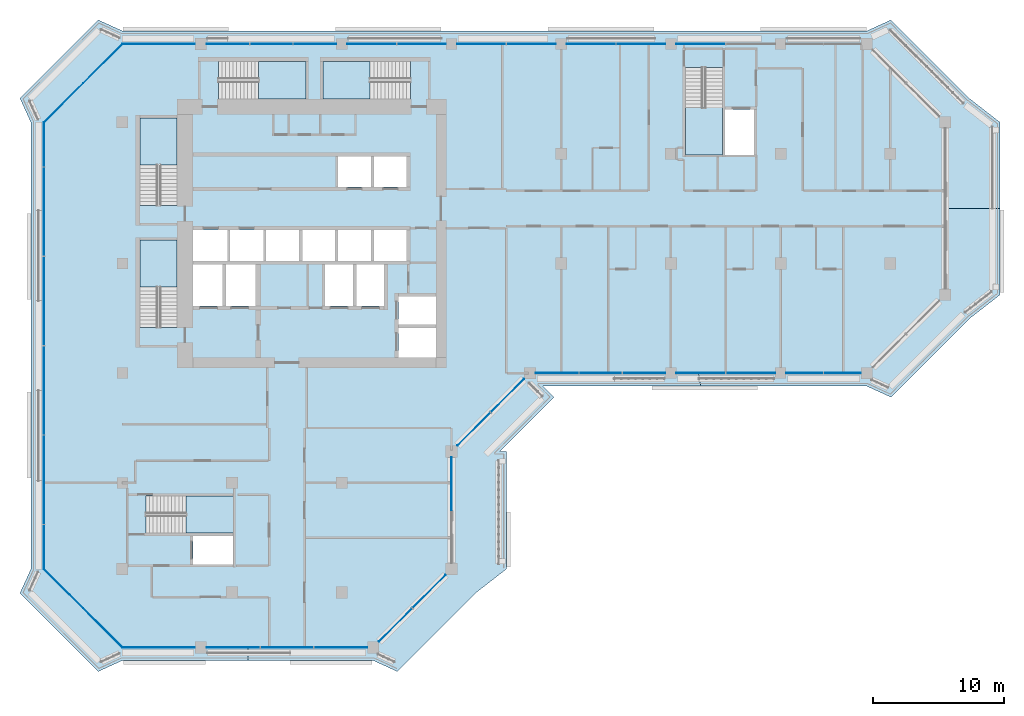
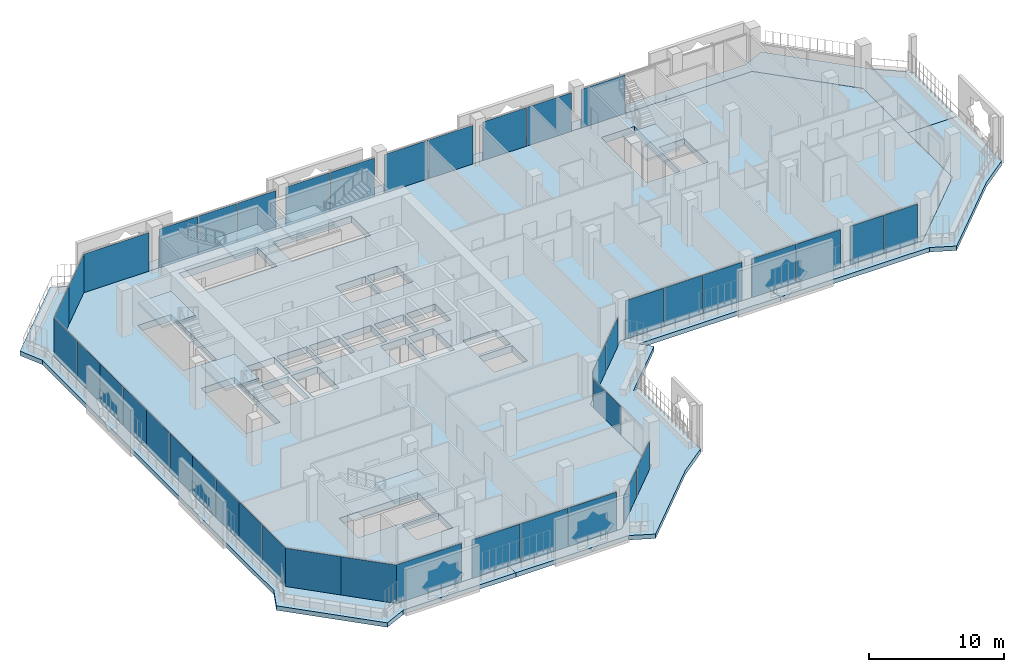
# One storey, part 8 of 21: 41 plates, 10 slabs, 15 elements without a shape of their own.
"""IFC4 building model written with IfcOpenShell, lengths in metres."""

from ifc_helpers import new_model, si_unit, direction, frame, origin, origin_2d, place, context, subcontext, project, spatial, polyline, rectangle, outline, extrude, material, layer, layer_set, type_object, element, aggregate, save


model = new_model("IFC4")

# Units and contexts
model_context = context("Model", 3, precision=1e-05, world=origin(), true_north=direction((0.0, 1.0)))
body_context = subcontext(model_context, "Body", "Model", "MODEL_VIEW")
ifc_project = project(units=[si_unit("LENGTHUNIT", "METRE"), si_unit("AREAUNIT", "SQUARE_METRE"), si_unit("VOLUMEUNIT", "CUBIC_METRE"), si_unit("PLANEANGLEUNIT", "RADIAN"), si_unit("MASSUNIT", "GRAM", prefix="KILO")], contexts=[model_context])

# Site, building, storey
site_placement = place(None, origin())
site = spatial("IfcSite", under=ifc_project, at=site_placement, CompositionType="ELEMENT")
building_placement = place(site_placement, origin())
building = spatial("IfcBuilding", under=site, at=building_placement, Name="Kawkab Arch Medical Tower", CompositionType="ELEMENT")
storey_placement = place(building_placement, frame((0.0, 0.0, 264.199951171875)))
storey = spatial("IfcBuildingStorey", under=building, at=storey_placement, Name="L61", CompositionType="ELEMENT", Elevation=264.199951171875)

# Curtain wall, plates
ifc_material_1 = material(Name="Bronze anodised aluminium curtain wall frame", Category="aluminium")
ifc_layer_1 = layer(ifc_material_1, 0.159912109375)
ifc_layer_set_1 = layer_set([ifc_layer_1], Name="Bronze anodised aluminium curtain wall frame")
curtain_wall_type_1 = type_object("IfcCurtainWallType", Name="CW1 ward curtain wall", PredefinedType="NOTDEFINED", material=ifc_layer_set_1)
placement_1 = place(storey_placement, origin())
curtain_wall_1 = element("IfcCurtainWall", 1, at=placement_1, inside=storey, type_object=curtain_wall_type_1, Name="CW1 Ward curtain wall R01", PredefinedType="NOTDEFINED")
ifc_material_2 = material(Name="Tinted insulating glass, bronze low-e coating", Category="glass")
ifc_layer_2 = layer(ifc_material_2, 0.031982421875)
ifc_layer_set_2 = layer_set([ifc_layer_2], Name="Tinted insulating glass, bronze low-e coating")
plate_type_1 = type_object("IfcPlateType", Name="CW1 glazing unit 32", PredefinedType="CURTAIN_PANEL", material=ifc_layer_set_2)
plate_1_placement = place(storey_placement, frame((-6.0, -7.695068359375, 0.0), z_axis=(0.0, 0.0, 1.0), x_axis=(0.0, -1.0, 0.0)))
plate_1 = element("IfcPlate", 2, at=plate_1_placement, type_object=plate_type_1, Name="CW1 glazing unit 1.1", PredefinedType="CURTAIN_PANEL", context=body_context, shape_type="SweptSolid", body=[
    extrude(rectangle(XDim=3.389892578125, YDim=0.031982421875, at=origin_2d()), origin(), (0.0, 0.0, 1.0), 3.47998046875),
])
plate_2_placement = place(storey_placement, frame((-6.0, -11.14501953125, 0.0), z_axis=(0.0, 0.0, 1.0), x_axis=(0.0, -1.0, 0.0)))
plate_2 = element("IfcPlate", 3, at=plate_2_placement, type_object=plate_type_1, Name="CW1 glazing unit 1.2", PredefinedType="CURTAIN_PANEL", context=body_context, shape_type="SweptSolid", body=[
    extrude(rectangle(XDim=3.389892578125, YDim=0.031982421875, at=origin_2d()), origin(), (0.0, 0.0, 1.0), 3.47998046875),
])
plate_3_placement = place(storey_placement, frame((-6.0, -14.534912109375, 0.0), z_axis=(0.0, 0.0, 1.0), x_axis=(0.0, -1.0, 0.0)))
plate_3 = element("IfcPlate", 4, at=plate_3_placement, type_object=plate_type_1, Name="CW1 glazing unit 2.1", PredefinedType="CURTAIN_PANEL", context=body_context, shape_type="SweptSolid", body=[
    extrude(rectangle(XDim=3.389892578125, YDim=0.031982421875, at=origin_2d()), origin(), (0.0, 0.0, 1.0), 3.47998046875),
])
plate_4_placement = place(storey_placement, frame((-6.0, -17.985107421875, 0.0), z_axis=(0.0, 0.0, 1.0), x_axis=(0.0, -1.0, 0.0)))
plate_4 = element("IfcPlate", 5, at=plate_4_placement, type_object=plate_type_1, Name="CW1 glazing unit 2.2", PredefinedType="CURTAIN_PANEL", context=body_context, shape_type="SweptSolid", body=[
    extrude(rectangle(XDim=3.389892578125, YDim=0.031982421875, at=origin_2d()), origin(), (0.0, 0.0, 1.0), 3.47998046875),
])
plate_5_placement = place(storey_placement, frame((-6.0, -21.375, 0.0), z_axis=(0.0, 0.0, 1.0), x_axis=(0.0, -1.0, 0.0)))
plate_5 = element("IfcPlate", 6, at=plate_5_placement, type_object=plate_type_1, Name="CW1 glazing unit 3.1", PredefinedType="CURTAIN_PANEL", context=body_context, shape_type="SweptSolid", body=[
    extrude(rectangle(XDim=3.389892578125, YDim=0.031982421875, at=origin_2d()), origin(), (0.0, 0.0, 1.0), 3.47998046875),
])
plate_6_placement = place(storey_placement, frame((-6.0, -24.824951171875, 0.0), z_axis=(0.0, 0.0, 1.0), x_axis=(0.0, -1.0, 0.0)))
plate_6 = element("IfcPlate", 7, at=plate_6_placement, type_object=plate_type_1, Name="CW1 glazing unit 3.2", PredefinedType="CURTAIN_PANEL", context=body_context, shape_type="SweptSolid", body=[
    extrude(rectangle(XDim=3.389892578125, YDim=0.031982421875, at=origin_2d()), origin(), (0.0, 0.0, 1.0), 3.47998046875),
])
plate_7_placement = place(storey_placement, frame((-6.0, -28.215087890625, 0.0), z_axis=(0.0, 0.0, 1.0), x_axis=(0.0, -1.0, 0.0)))
plate_7 = element("IfcPlate", 8, at=plate_7_placement, type_object=plate_type_1, Name="CW1 glazing unit 4.1", PredefinedType="CURTAIN_PANEL", context=body_context, shape_type="SweptSolid", body=[
    extrude(rectangle(XDim=3.389892578125, YDim=0.031982421875, at=origin_2d()), origin(), (0.0, 0.0, 1.0), 3.47998046875),
])
plate_8_placement = place(storey_placement, frame((-6.0, -31.6650390625, 0.0), z_axis=(0.0, 0.0, 1.0), x_axis=(0.0, -1.0, 0.0)))
plate_8 = element("IfcPlate", 9, at=plate_8_placement, type_object=plate_type_1, Name="CW1 glazing unit 4.2", PredefinedType="CURTAIN_PANEL", context=body_context, shape_type="SweptSolid", body=[
    extrude(rectangle(XDim=3.389892578125, YDim=0.031982421875, at=origin_2d()), origin(), (0.0, 0.0, 1.0), 3.47998046875),
])
plate_9_placement = place(storey_placement, frame((-6.0, -35.054931640625, 0.0), z_axis=(0.0, 0.0, 1.0), x_axis=(0.0, -1.0, 0.0)))
plate_9 = element("IfcPlate", 10, at=plate_9_placement, type_object=plate_type_1, Name="CW1 glazing unit 5.1", PredefinedType="CURTAIN_PANEL", context=body_context, shape_type="SweptSolid", body=[
    extrude(rectangle(XDim=3.389892578125, YDim=0.031982421875, at=origin_2d()), origin(), (0.0, 0.0, 1.0), 3.47998046875),
])
plate_10_placement = place(storey_placement, frame((-6.0, -38.5048828125, 0.0), z_axis=(0.0, 0.0, 1.0), x_axis=(0.0, -1.0, 0.0)))
plate_10 = element("IfcPlate", 11, at=plate_10_placement, type_object=plate_type_1, Name="CW1 glazing unit 5.2", PredefinedType="CURTAIN_PANEL", context=body_context, shape_type="SweptSolid", body=[
    extrude(rectangle(XDim=3.389892578125, YDim=0.031982421875, at=origin_2d()), origin(), (0.0, 0.0, 1.0), 3.47998046875),
])
aggregate(curtain_wall_1, [plate_1, plate_2, plate_3, plate_4, plate_5, plate_6, plate_7, plate_8, plate_9, plate_10])

curtain_wall_2 = element("IfcCurtainWall", 12, at=placement_1, inside=storey, type_object=curtain_wall_type_1, Name="CW1 Ward curtain wall R03", PredefinedType="NOTDEFINED")
plate_11_placement = place(storey_placement, frame((2.77490234375, -46.199951171875, 0.0), z_axis=(0.0, 0.0, 1.0), x_axis=(1.0, 0.0, 0.0)))
plate_11 = element("IfcPlate", 13, at=plate_11_placement, type_object=plate_type_1, Name="CW1 glazing unit 1.1", PredefinedType="CURTAIN_PANEL", context=body_context, shape_type="SweptSolid", body=[
    extrude(rectangle(XDim=5.550048828125, YDim=0.031982421875, at=origin_2d()), origin(), (0.0, 0.0, 1.0), 3.47998046875),
])
plate_12_placement = place(storey_placement, frame((8.485107421875, -46.199951171875, 0.0), z_axis=(0.0, 0.0, 1.0), x_axis=(1.0, 0.0, 0.0)))
plate_12 = element("IfcPlate", 14, at=plate_12_placement, type_object=plate_type_1, Name="CW1 glazing unit 2.1", PredefinedType="CURTAIN_PANEL", context=body_context, shape_type="SweptSolid", body=[
    extrude(rectangle(XDim=4.070068359375, YDim=0.031982421875, at=origin_2d()), origin(), (0.0, 0.0, 1.0), 3.47998046875),
])
plate_13_placement = place(storey_placement, frame((12.60009765625, -46.199951171875, 0.0), z_axis=(0.0, 0.0, 1.0), x_axis=(1.0, 0.0, 0.0)))
plate_13 = element("IfcPlate", 15, at=plate_13_placement, type_object=plate_type_1, Name="CW1 glazing unit 2.2", PredefinedType="CURTAIN_PANEL", context=body_context, shape_type="SweptSolid", body=[
    extrude(rectangle(XDim=4.0400390625, YDim=0.031982421875, at=origin_2d()), origin(), (0.0, 0.0, 1.0), 3.47998046875),
])
plate_14_placement = place(storey_placement, frame((16.715087890625, -46.199951171875, 0.0), z_axis=(0.0, 0.0, 1.0), x_axis=(1.0, 0.0, 0.0)))
plate_14 = element("IfcPlate", 16, at=plate_14_placement, type_object=plate_type_1, Name="CW1 glazing unit 2.3", PredefinedType="CURTAIN_PANEL", context=body_context, shape_type="SweptSolid", body=[
    extrude(rectangle(XDim=4.070068359375, YDim=0.031982421875, at=origin_2d()), origin(), (0.0, 0.0, 1.0), 3.47998046875),
])
aggregate(curtain_wall_2, [plate_11, plate_12, plate_13, plate_14])

# Curtain wall, plate
curtain_wall_3 = element("IfcCurtainWall", 17, at=placement_1, inside=storey, type_object=curtain_wall_type_1, Name="CW1 Ward curtain wall R05", PredefinedType="NOTDEFINED")
plate_15_placement = place(storey_placement, frame((25.199951171875, -33.675048828125, 0.0), z_axis=(0.0, 0.0, 1.0), x_axis=(0.0, 1.0, 0.0)))
plate_15 = element("IfcPlate", 18, at=plate_15_placement, type_object=plate_type_1, Name="CW1 glazing unit 1.2", PredefinedType="CURTAIN_PANEL", context=body_context, shape_type="SweptSolid", body=[
    extrude(rectangle(XDim=4.050048828125, YDim=0.031982421875, at=origin_2d()), origin(), (0.0, 0.0, 1.0), 2.580078125),
])
aggregate(curtain_wall_3, [plate_15])

# Curtain wall, plates
curtain_wall_4 = element("IfcCurtainWall", 19, at=placement_1, inside=storey, type_object=curtain_wall_type_1, Name="CW1 Ward curtain wall R07", PredefinedType="NOTDEFINED")
plate_16_placement = place(storey_placement, frame((33.2890625, -25.199951171875, 0.0), z_axis=(0.0, 0.0, 1.0), x_axis=(1.0, 0.0, 0.0)))
plate_16 = element("IfcPlate", 20, at=plate_16_placement, type_object=plate_type_1, Name="CW1 glazing unit 1.1", PredefinedType="CURTAIN_PANEL", context=body_context, shape_type="SweptSolid", body=[
    extrude(rectangle(XDim=3.2783203125, YDim=0.031982421875, at=origin_2d()), origin(), (0.0, 0.0, 1.0), 3.47998046875),
])
plate_17_placement = place(storey_placement, frame((36.612548828125, -25.199951171875, 0.0), z_axis=(0.0, 0.0, 1.0), x_axis=(1.0, 0.0, 0.0)))
plate_17 = element("IfcPlate", 21, at=plate_17_placement, type_object=plate_type_1, Name="CW1 glazing unit 1.2", PredefinedType="CURTAIN_PANEL", context=body_context, shape_type="SweptSolid", body=[
    extrude(rectangle(XDim=3.248291015625, YDim=0.031982421875, at=origin_2d()), origin(), (0.0, 0.0, 1.0), 3.47998046875),
])
plate_18_placement = place(storey_placement, frame((39.935791015625, -25.199951171875, 0.0), z_axis=(0.0, 0.0, 1.0), x_axis=(1.0, 0.0, 0.0)))
plate_18 = element("IfcPlate", 22, at=plate_18_placement, type_object=plate_type_1, Name="CW1 glazing unit 1.3", PredefinedType="CURTAIN_PANEL", context=body_context, shape_type="SweptSolid", body=[
    extrude(rectangle(XDim=3.2783203125, YDim=0.031982421875, at=origin_2d()), origin(), (0.0, 0.0, 1.0), 3.47998046875),
])
plate_19_placement = place(storey_placement, frame((44.297607421875, -25.199951171875, 0.0), z_axis=(0.0, 0.0, 1.0), x_axis=(1.0, 0.0, 0.0)))
plate_19 = element("IfcPlate", 23, at=plate_19_placement, type_object=plate_type_1, Name="CW1 glazing unit 2.1", PredefinedType="CURTAIN_PANEL", context=body_context, shape_type="SweptSolid", body=[
    extrude(rectangle(XDim=3.7451171875, YDim=0.031982421875, at=origin_2d()), origin(), (0.0, 0.0, 1.0), 3.47998046875),
])
plate_20_placement = place(storey_placement, frame((48.1025390625, -25.199951171875, 0.0), z_axis=(0.0, 0.0, 1.0), x_axis=(1.0, 0.0, 0.0)))
plate_20 = element("IfcPlate", 24, at=plate_20_placement, type_object=plate_type_1, Name="CW1 glazing unit 2.2", PredefinedType="CURTAIN_PANEL", context=body_context, shape_type="SweptSolid", body=[
    extrude(rectangle(XDim=3.7451171875, YDim=0.031982421875, at=origin_2d()), origin(), (0.0, 0.0, 1.0), 3.47998046875),
])
plate_21_placement = place(storey_placement, frame((52.2412109375, -25.199951171875, 0.0), z_axis=(0.0, 0.0, 1.0), x_axis=(1.0, 0.0, 0.0)))
plate_21 = element("IfcPlate", 25, at=plate_21_placement, type_object=plate_type_1, Name="CW1 glazing unit 3.1", PredefinedType="CURTAIN_PANEL", context=body_context, shape_type="SweptSolid", body=[
    extrude(rectangle(XDim=2.83251953125, YDim=0.031982421875, at=origin_2d()), origin(), (0.0, 0.0, 1.0), 3.47998046875),
])
plate_22_placement = place(storey_placement, frame((55.1337890625, -25.199951171875, 0.0), z_axis=(0.0, 0.0, 1.0), x_axis=(1.0, 0.0, 0.0)))
plate_22 = element("IfcPlate", 26, at=plate_22_placement, type_object=plate_type_1, Name="CW1 glazing unit 3.2", PredefinedType="CURTAIN_PANEL", context=body_context, shape_type="SweptSolid", body=[
    extrude(rectangle(XDim=2.83251953125, YDim=0.031982421875, at=origin_2d()), origin(), (0.0, 0.0, 1.0), 3.47998046875),
])
aggregate(curtain_wall_4, [plate_16, plate_17, plate_18, plate_19, plate_20, plate_21, plate_22])

curtain_wall_5 = element("IfcCurtainWall", 27, at=placement_1, inside=storey, type_object=curtain_wall_type_1, Name="CW1 Ward curtain wall R11", PredefinedType="NOTDEFINED")
plate_23_placement = place(storey_placement, frame((44.297607421875, 0.0, 0.0), z_axis=(0.0, 0.0, 1.0), x_axis=(-1.0, 0.0, 0.0)))
plate_23 = element("IfcPlate", 28, at=plate_23_placement, type_object=plate_type_1, Name="CW1 glazing unit 2.2", PredefinedType="CURTAIN_PANEL", context=body_context, shape_type="SweptSolid", body=[
    extrude(rectangle(XDim=3.7451171875, YDim=0.031982421875, at=origin_2d()), origin(), (0.0, 0.0, 1.0), 3.47998046875),
])
plate_24_placement = place(storey_placement, frame((39.702392578125, 0.0, 0.0), z_axis=(0.0, 0.0, 1.0), x_axis=(-1.0, 0.0, 0.0)))
plate_24 = element("IfcPlate", 29, at=plate_24_placement, type_object=plate_type_1, Name="CW1 glazing unit 3.1", PredefinedType="CURTAIN_PANEL", context=body_context, shape_type="SweptSolid", body=[
    extrude(rectangle(XDim=3.7451171875, YDim=0.031982421875, at=origin_2d()), origin(), (0.0, 0.0, 1.0), 3.47998046875),
])
plate_25_placement = place(storey_placement, frame((35.8974609375, 0.0, 0.0), z_axis=(0.0, 0.0, 1.0), x_axis=(-1.0, 0.0, 0.0)))
plate_25 = element("IfcPlate", 30, at=plate_25_placement, type_object=plate_type_1, Name="CW1 glazing unit 3.2", PredefinedType="CURTAIN_PANEL", context=body_context, shape_type="SweptSolid", body=[
    extrude(rectangle(XDim=3.7451171875, YDim=0.031982421875, at=origin_2d()), origin(), (0.0, 0.0, 1.0), 3.47998046875),
])
plate_26_placement = place(storey_placement, frame((31.302490234375, 0.0, 0.0), z_axis=(0.0, 0.0, 1.0), x_axis=(-1.0, 0.0, 0.0)))
plate_26 = element("IfcPlate", 31, at=plate_26_placement, type_object=plate_type_1, Name="CW1 glazing unit 4.1", PredefinedType="CURTAIN_PANEL", context=body_context, shape_type="SweptSolid", body=[
    extrude(rectangle(XDim=3.7451171875, YDim=0.031982421875, at=origin_2d()), origin(), (0.0, 0.0, 1.0), 3.47998046875),
])
plate_27_placement = place(storey_placement, frame((27.49755859375, 0.0, 0.0), z_axis=(0.0, 0.0, 1.0), x_axis=(-1.0, 0.0, 0.0)))
plate_27 = element("IfcPlate", 32, at=plate_27_placement, type_object=plate_type_1, Name="CW1 glazing unit 4.2", PredefinedType="CURTAIN_PANEL", context=body_context, shape_type="SweptSolid", body=[
    extrude(rectangle(XDim=3.7451171875, YDim=0.031982421875, at=origin_2d()), origin(), (0.0, 0.0, 1.0), 3.47998046875),
])
plate_28_placement = place(storey_placement, frame((22.902587890625, 0.0, 0.0), z_axis=(0.0, 0.0, 1.0), x_axis=(-1.0, 0.0, 0.0)))
plate_28 = element("IfcPlate", 33, at=plate_28_placement, type_object=plate_type_1, Name="CW1 glazing unit 5.1", PredefinedType="CURTAIN_PANEL", context=body_context, shape_type="SweptSolid", body=[
    extrude(rectangle(XDim=3.7451171875, YDim=0.031982421875, at=origin_2d()), origin(), (0.0, 0.0, 1.0), 3.47998046875),
])
plate_29_placement = place(storey_placement, frame((19.097412109375, 0.0, 0.0), z_axis=(0.0, 0.0, 1.0), x_axis=(-1.0, 0.0, 0.0)))
plate_29 = element("IfcPlate", 34, at=plate_29_placement, type_object=plate_type_1, Name="CW1 glazing unit 5.2", PredefinedType="CURTAIN_PANEL", context=body_context, shape_type="SweptSolid", body=[
    extrude(rectangle(XDim=3.7451171875, YDim=0.031982421875, at=origin_2d()), origin(), (0.0, 0.0, 1.0), 3.47998046875),
])
plate_30_placement = place(storey_placement, frame((14.73583984375, 0.0, 0.0), z_axis=(0.0, 0.0, 1.0), x_axis=(-1.0, 0.0, 0.0)))
plate_30 = element("IfcPlate", 35, at=plate_30_placement, type_object=plate_type_1, Name="CW1 glazing unit 6.1", PredefinedType="CURTAIN_PANEL", context=body_context, shape_type="SweptSolid", body=[
    extrude(rectangle(XDim=3.2783203125, YDim=0.031982421875, at=origin_2d()), origin(), (0.0, 0.0, 1.0), 3.47998046875),
])
plate_31_placement = place(storey_placement, frame((11.41259765625, 0.0, 0.0), z_axis=(0.0, 0.0, 1.0), x_axis=(-1.0, 0.0, 0.0)))
plate_31 = element("IfcPlate", 36, at=plate_31_placement, type_object=plate_type_1, Name="CW1 glazing unit 6.2", PredefinedType="CURTAIN_PANEL", context=body_context, shape_type="SweptSolid", body=[
    extrude(rectangle(XDim=3.248291015625, YDim=0.031982421875, at=origin_2d()), origin(), (0.0, 0.0, 1.0), 3.47998046875),
])
plate_32_placement = place(storey_placement, frame((8.089111328125, 0.0, 0.0), z_axis=(0.0, 0.0, 1.0), x_axis=(-1.0, 0.0, 0.0)))
plate_32 = element("IfcPlate", 37, at=plate_32_placement, type_object=plate_type_1, Name="CW1 glazing unit 6.3", PredefinedType="CURTAIN_PANEL", context=body_context, shape_type="SweptSolid", body=[
    extrude(rectangle(XDim=3.2783203125, YDim=0.031982421875, at=origin_2d()), origin(), (0.0, 0.0, 1.0), 3.47998046875),
])
plate_33_placement = place(storey_placement, frame((2.77490234375, 0.0, 0.0), z_axis=(0.0, 0.0, 1.0), x_axis=(-1.0, 0.0, 0.0)))
plate_33 = element("IfcPlate", 38, at=plate_33_placement, type_object=plate_type_1, Name="CW1 glazing unit 7.1", PredefinedType="CURTAIN_PANEL", context=body_context, shape_type="SweptSolid", body=[
    extrude(rectangle(XDim=5.550048828125, YDim=0.031982421875, at=origin_2d()), origin(), (0.0, 0.0, 1.0), 3.47998046875),
])
aggregate(curtain_wall_5, [plate_23, plate_24, plate_25, plate_26, plate_27, plate_28, plate_29, plate_30, plate_31, plate_32, plate_33])

ifc_material_3 = material(Name="Bronze anodised aluminium curtain wall frame", Category="aluminium")
ifc_layer_3 = layer(ifc_material_3, 0.159912109375)
ifc_layer_set_3 = layer_set([ifc_layer_3], Name="Bronze anodised aluminium curtain wall frame")
curtain_wall_type_2 = type_object("IfcCurtainWallType", Name="CW2 chamfer curtain wall", PredefinedType="NOTDEFINED", material=ifc_layer_set_3)
curtain_wall_6 = element("IfcCurtainWall", 39, at=placement_1, inside=storey, type_object=curtain_wall_type_2, Name="CW2 Chamfer curtain wall R02", PredefinedType="NOTDEFINED")
ifc_material_4 = material(Name="Tinted insulating glass, bronze low-e coating", Category="glass")
ifc_layer_4 = layer(ifc_material_4, 0.031982421875)
ifc_layer_set_4 = layer_set([ifc_layer_4], Name="Tinted insulating glass, bronze low-e coating")
plate_type_2 = type_object("IfcPlateType", Name="CW2 glazing unit 32", PredefinedType="CURTAIN_PANEL", material=ifc_layer_set_4)
plate_34_placement = place(storey_placement, frame((-4.5, -41.699951171875, 0.0), z_axis=(0.0, 0.0, 1.0), x_axis=(0.707106781187, -0.707106781187, 0.0)))
plate_34 = element("IfcPlate", 40, at=plate_34_placement, type_object=plate_type_2, Name="CW2 glazing unit 1.1", PredefinedType="CURTAIN_PANEL", context=body_context, shape_type="SweptSolid", body=[
    extrude(rectangle(XDim=4.24267578125, YDim=0.031982421875, at=origin_2d()), origin(), (0.0, 0.0, 1.0), 3.4599609375),
])
plate_35_placement = place(storey_placement, frame((-1.5, -44.699951171875, 0.0), z_axis=(0.0, 0.0, 1.0), x_axis=(0.707106781187, -0.707106781187, 0.0)))
plate_35 = element("IfcPlate", 41, at=plate_35_placement, type_object=plate_type_2, Name="CW2 glazing unit 2.1", PredefinedType="CURTAIN_PANEL", context=body_context, shape_type="SweptSolid", body=[
    extrude(rectangle(XDim=4.24267578125, YDim=0.031982421875, at=origin_2d()), origin(), (0.0, 0.0, 1.0), 3.4599609375),
])
aggregate(curtain_wall_6, [plate_34, plate_35])

curtain_wall_7 = element("IfcCurtainWall", 42, at=placement_1, inside=storey, type_object=curtain_wall_type_2, Name="CW2 Chamfer curtain wall R04", PredefinedType="NOTDEFINED")
plate_36_placement = place(storey_placement, frame((20.914306640625, -44.485595703125, 0.0), z_axis=(0.0, 0.0, 1.0), x_axis=(0.707106781187, 0.707106781187, 0.0)))
plate_36 = element("IfcPlate", 43, at=plate_36_placement, type_object=plate_type_2, Name="CW2 glazing unit 1.1", PredefinedType="CURTAIN_PANEL", context=body_context, shape_type="SweptSolid", body=[
    extrude(rectangle(XDim=3.576171875, YDim=0.031982421875, at=origin_2d()), origin(), (0.0, 0.0, 1.0), 2.56005859375),
])
plate_37_placement = place(storey_placement, frame((23.485595703125, -41.914306640625, 0.0), z_axis=(0.0, 0.0, 1.0), x_axis=(0.707106781187, 0.707106781187, 0.0)))
plate_37 = element("IfcPlate", 44, at=plate_37_placement, type_object=plate_type_2, Name="CW2 glazing unit 1.2", PredefinedType="CURTAIN_PANEL", context=body_context, shape_type="SweptSolid", body=[
    extrude(rectangle(XDim=3.576171875, YDim=0.031982421875, at=origin_2d()), origin(), (0.0, 0.0, 1.0), 2.56005859375),
])
aggregate(curtain_wall_7, [plate_36, plate_37])

curtain_wall_8 = element("IfcCurtainWall", 45, at=placement_1, inside=storey, type_object=curtain_wall_type_2, Name="CW2 Chamfer curtain wall R06", PredefinedType="NOTDEFINED")
plate_38_placement = place(storey_placement, frame((26.914306640625, -29.485595703125, 0.0), z_axis=(0.0, 0.0, 1.0), x_axis=(0.707106781187, 0.707106781187, 0.0)))
plate_38 = element("IfcPlate", 46, at=plate_38_placement, type_object=plate_type_2, Name="CW2 glazing unit 1.1", PredefinedType="CURTAIN_PANEL", context=body_context, shape_type="SweptSolid", body=[
    extrude(rectangle(XDim=3.576171875, YDim=0.031982421875, at=origin_2d()), origin(), (0.0, 0.0, 1.0), 2.56005859375),
])
plate_39_placement = place(storey_placement, frame((29.485595703125, -26.914306640625, 0.0), z_axis=(0.0, 0.0, 1.0), x_axis=(0.707106781187, 0.707106781187, 0.0)))
plate_39 = element("IfcPlate", 47, at=plate_39_placement, type_object=plate_type_2, Name="CW2 glazing unit 1.2", PredefinedType="CURTAIN_PANEL", context=body_context, shape_type="SweptSolid", body=[
    extrude(rectangle(XDim=3.576171875, YDim=0.031982421875, at=origin_2d()), origin(), (0.0, 0.0, 1.0), 2.56005859375),
])
aggregate(curtain_wall_8, [plate_38, plate_39])

curtain_wall_9 = element("IfcCurtainWall", 48, at=placement_1, inside=storey, type_object=curtain_wall_type_2, Name="CW2 Chamfer curtain wall R12", PredefinedType="NOTDEFINED")
plate_40_placement = place(storey_placement, frame((-1.5, -1.5, 0.0), z_axis=(0.0, 0.0, 1.0), x_axis=(-0.707106781187, -0.707106781187, 0.0)))
plate_40 = element("IfcPlate", 49, at=plate_40_placement, type_object=plate_type_2, Name="CW2 glazing unit 1.1", PredefinedType="CURTAIN_PANEL", context=body_context, shape_type="SweptSolid", body=[
    extrude(rectangle(XDim=4.24267578125, YDim=0.031982421875, at=origin_2d()), origin(), (0.0, 0.0, 1.0), 3.4599609375),
])
plate_41_placement = place(storey_placement, frame((-4.5, -4.5, 0.0), z_axis=(0.0, 0.0, 1.0), x_axis=(-0.707106781187, -0.707106781187, 0.0)))
plate_41 = element("IfcPlate", 50, at=plate_41_placement, type_object=plate_type_2, Name="CW2 glazing unit 2.1", PredefinedType="CURTAIN_PANEL", context=body_context, shape_type="SweptSolid", body=[
    extrude(rectangle(XDim=4.24267578125, YDim=0.031982421875, at=origin_2d()), origin(), (0.0, 0.0, 1.0), 3.4599609375),
])
aggregate(curtain_wall_9, [plate_40, plate_41])

# Stair, slab
ifc_material_5 = material(Name="Concrete C40/50", Category="concrete")
stair_type = type_object("IfcStairType", Name="Exit stair 1350", PredefinedType="HALF_TURN_STAIR", material=ifc_material_5)
stair_1 = element("IfcStair", 51, at=placement_1, inside=storey, type_object=stair_type, Name="L61 Exit stair ST1", PredefinedType="HALF_TURN_STAIR")
ifc_material_6 = material(Name="Concrete C40/50", Category="concrete")
ifc_layer_5 = layer(ifc_material_6, 0.199951171875)
ifc_layer_set_5 = layer_set([ifc_layer_5], Name="Concrete C40/50")
slab_type_1 = type_object("IfcSlabType", Name="Exit stair landing 200", PredefinedType="LANDING", material=ifc_layer_set_5)
placement_2 = place(storey_placement, frame((0.0, 0.0, 1.900146484375)))
slab_1 = element("IfcSlab", 52, at=placement_2, type_object=slab_type_1, Name="ST1 landing 1", PredefinedType="LANDING", context=body_context, shape_type="SweptSolid", body=[
    extrude(outline(polyline([(4.199951171875, -9.27001953125), (4.199951171875, -5.64990234375), (1.35009765625, -5.64990234375), (1.35009765625, -9.27001953125), (4.199951171875, -9.27001953125)])), origin(), (0.0, 0.0, 1.0), 0.199951171875),
])
aggregate(stair_1, [slab_1])

stair_2 = element("IfcStair", 53, at=placement_1, inside=storey, type_object=stair_type, Name="L61 Exit stair ST2", PredefinedType="HALF_TURN_STAIR")
slab_2 = element("IfcSlab", 54, at=placement_2, type_object=slab_type_1, Name="ST2 landing 1", PredefinedType="LANDING", context=body_context, shape_type="SweptSolid", body=[
    extrude(outline(polyline([(4.199951171875, -18.6201171875), (4.199951171875, -15.0), (1.35009765625, -15.0), (1.35009765625, -18.6201171875), (4.199951171875, -18.6201171875)])), origin(), (0.0, 0.0, 1.0), 0.199951171875),
])
aggregate(stair_2, [slab_2])

stair_3 = element("IfcStair", 55, at=placement_1, inside=storey, type_object=stair_type, Name="L61 Exit stair ST3", PredefinedType="HALF_TURN_STAIR")
slab_3 = element("IfcSlab", 56, at=placement_2, type_object=slab_type_1, Name="ST3 landing 1", PredefinedType="LANDING", context=body_context, shape_type="SweptSolid", body=[
    extrude(outline(polyline([(10.429931640625, -4.199951171875), (14.050048828125, -4.199951171875), (14.050048828125, -1.35009765625), (10.429931640625, -1.35009765625), (10.429931640625, -4.199951171875)])), origin(), (0.0, 0.0, 1.0), 0.199951171875),
])
aggregate(stair_3, [slab_3])

stair_4 = element("IfcStair", 57, at=placement_1, inside=storey, type_object=stair_type, Name="L61 Exit stair ST4", PredefinedType="HALF_TURN_STAIR")
slab_4 = element("IfcSlab", 58, at=placement_2, type_object=slab_type_1, Name="ST4 landing 1", PredefinedType="LANDING", context=body_context, shape_type="SweptSolid", body=[
    extrude(outline(polyline([(18.969970703125, -1.35009765625), (15.35009765625, -1.35009765625), (15.35009765625, -4.199951171875), (18.969970703125, -4.199951171875), (18.969970703125, -1.35009765625)])), origin(), (0.0, 0.0, 1.0), 0.199951171875),
])
aggregate(stair_4, [slab_4])

stair_5 = element("IfcStair", 59, at=placement_1, inside=storey, type_object=stair_type, Name="L61 Exit stair ST5", PredefinedType="HALF_TURN_STAIR")
slab_5 = element("IfcSlab", 60, at=placement_2, type_object=slab_type_1, Name="ST5 landing 1", PredefinedType="LANDING", context=body_context, shape_type="SweptSolid", body=[
    extrude(outline(polyline([(43.10009765625, -4.8798828125), (43.10009765625, -8.5), (45.949951171875, -8.5), (45.949951171875, -4.8798828125), (43.10009765625, -4.8798828125)])), origin(), (0.0, 0.0, 1.0), 0.199951171875),
])
aggregate(stair_5, [slab_5])

stair_6 = element("IfcStair", 61, at=placement_1, inside=storey, type_object=stair_type, Name="L61 Exit stair ST6", PredefinedType="HALF_TURN_STAIR")
slab_6 = element("IfcSlab", 62, at=placement_2, type_object=slab_type_1, Name="ST6 landing 1", PredefinedType="LANDING", context=body_context, shape_type="SweptSolid", body=[
    extrude(outline(polyline([(4.8798828125, -37.449951171875), (8.5, -37.449951171875), (8.5, -34.60009765625), (4.8798828125, -34.60009765625), (4.8798828125, -37.449951171875)])), origin(), (0.0, 0.0, 1.0), 0.199951171875),
])
aggregate(stair_6, [slab_6])

# Slabs
ifc_material_7 = material(Name="Concrete C45/55", Category="concrete")
ifc_layer_6 = layer(ifc_material_7, 0.60009765625)
ifc_layer_set_6 = layer_set([ifc_layer_6], Name="Concrete C45/55")
slab_type_2 = type_object("IfcSlabType", Name="Flat plate 600 C45/55", PredefinedType="FLOOR", material=ifc_layer_set_6)
slab_7_placement = place(storey_placement, frame((0.0, 0.0, -0.599853515625)))
element("IfcSlab", 63, at=slab_7_placement, inside=storey, type_object=slab_type_2, Name="Floor slab L61", PredefinedType="FLOOR", context=body_context, shape_type="SweptSolid", body=[
    extrude(outline(polyline([(0.0, 0.0), (57.0, 0.0), (63.0, -6.0), (63.0, -19.199951171875), (57.0, -25.199951171875), (31.199951171875, -25.199951171875), (25.199951171875, -31.199951171875), (25.199951171875, -40.199951171875), (19.199951171875, -46.199951171875), (0.0, -46.199951171875), (-6.0, -40.199951171875), (-6.0, -6.0), (0.0, 0.0)]), holes=[polyline([(5.425048828125, -37.64990234375), (5.425048828125, -39.85009765625), (8.5, -39.85009765625), (8.5, -37.64990234375), (5.425048828125, -37.64990234375)]), polyline([(8.5, -37.449951171875), (8.5, -34.60009765625), (1.800048828125, -34.60009765625), (1.800048828125, -37.449951171875), (8.5, -37.449951171875)]), polyline([(5.39990234375, -20.050048828125), (7.675048828125, -20.050048828125), (7.675048828125, -16.89990234375), (5.39990234375, -16.89990234375), (5.39990234375, -20.050048828125)]), polyline([(10.199951171875, -20.050048828125), (10.199951171875, -16.89990234375), (7.925048828125, -16.89990234375), (7.925048828125, -20.050048828125), (10.199951171875, -20.050048828125)]), polyline([(4.199951171875, -21.699951171875), (4.199951171875, -15.0), (1.35009765625, -15.0), (1.35009765625, -21.699951171875), (4.199951171875, -21.699951171875)]), polyline([(5.39990234375, -16.60009765625), (8.050048828125, -16.60009765625), (8.050048828125, -14.25), (5.39990234375, -14.25), (5.39990234375, -16.60009765625)]), polyline([(8.25, -16.60009765625), (10.800048828125, -16.60009765625), (10.800048828125, -14.25), (8.25, -14.25), (8.25, -16.60009765625)]), polyline([(11.0, -14.25), (11.0, -16.60009765625), (13.52490234375, -16.60009765625), (13.52490234375, -14.25), (11.0, -14.25)]), polyline([(13.77490234375, -16.60009765625), (16.27490234375, -16.60009765625), (16.27490234375, -14.25), (13.77490234375, -14.25), (13.77490234375, -16.60009765625)]), polyline([(4.199951171875, -12.35009765625), (4.199951171875, -5.64990234375), (1.35009765625, -5.64990234375), (1.35009765625, -12.35009765625), (4.199951171875, -12.35009765625)]), polyline([(7.35009765625, -4.199951171875), (14.050048828125, -4.199951171875), (14.050048828125, -1.35009765625), (7.35009765625, -1.35009765625), (7.35009765625, -4.199951171875)]), polyline([(24.0, -21.72509765625), (21.14990234375, -21.72509765625), (21.14990234375, -24.0), (24.0, -24.0), (24.0, -21.72509765625)]), polyline([(24.0, -19.35009765625), (21.14990234375, -19.35009765625), (21.14990234375, -21.47509765625), (24.0, -21.47509765625), (24.0, -19.35009765625)]), polyline([(17.675048828125, -20.050048828125), (17.675048828125, -16.89990234375), (15.52490234375, -16.89990234375), (15.52490234375, -20.050048828125), (17.675048828125, -20.050048828125)]), polyline([(17.925048828125, -20.050048828125), (20.050048828125, -20.050048828125), (20.050048828125, -16.89990234375), (17.925048828125, -16.89990234375), (17.925048828125, -20.050048828125)]), polyline([(19.02490234375, -16.60009765625), (19.02490234375, -14.25), (16.52490234375, -14.25), (16.52490234375, -16.60009765625), (19.02490234375, -16.60009765625)]), polyline([(21.75, -16.60009765625), (21.75, -14.25), (19.27490234375, -14.25), (19.27490234375, -16.60009765625), (21.75, -16.60009765625)]), polyline([(16.5, -8.60009765625), (16.5, -10.949951171875), (19.050048828125, -10.949951171875), (19.050048828125, -8.60009765625), (16.5, -8.60009765625)]), polyline([(19.25, -10.949951171875), (21.75, -10.949951171875), (21.75, -8.60009765625), (19.25, -8.60009765625), (19.25, -10.949951171875)]), polyline([(46.14990234375, -8.5), (48.35009765625, -8.5), (48.35009765625, -5.02490234375), (46.14990234375, -5.02490234375), (46.14990234375, -8.5)]), polyline([(43.10009765625, -1.800048828125), (43.10009765625, -8.5), (45.949951171875, -8.5), (45.949951171875, -1.800048828125), (43.10009765625, -1.800048828125)]), polyline([(22.050048828125, -1.35009765625), (15.35009765625, -1.35009765625), (15.35009765625, -4.199951171875), (22.050048828125, -4.199951171875), (22.050048828125, -1.35009765625)])]), origin(), (0.0, 0.0, 1.0), 0.599853515625),
])
ifc_material_8 = material(Name="Concrete C40/50", Category="concrete")
ifc_layer_7 = layer(ifc_material_8, 0.39990234375)
ifc_layer_set_7 = layer_set([ifc_layer_7], Name="Concrete C40/50")
slab_type_3 = type_object("IfcSlabType", Name="Loggia slab 400", PredefinedType="FLOOR", material=ifc_layer_set_7)
placement_3 = place(storey_placement, frame((0.0, 0.0, -0.39990234375)))
element("IfcSlab", 64, at=placement_3, inside=storey, type_object=slab_type_3, Name="Loggia slab L61.1", PredefinedType="FLOOR", context=body_context, shape_type="SweptSolid", body=[
    extrude(outline(polyline([(9.60009765625, -46.200927734375), (19.199951171875, -46.200927734375), (19.199951171875, -46.199951171875), (25.199951171875, -40.199951171875), (25.199951171875, -31.199951171875), (31.199951171875, -25.199951171875), (44.10009765625, -25.199951171875), (44.2880859375, -26.199951171875), (32.198974609375, -26.199951171875), (33.037109375, -27.0380859375), (28.8759765625, -31.199951171875), (29.39990234375, -31.199951171875), (29.39990234375, -40.199951171875), (27.0380859375, -42.0380859375), (21.0380859375, -48.0380859375), (19.199951171875, -47.199951171875), (9.60009765625, -47.199951171875), (9.60009765625, -46.200927734375)])), origin(), (0.0, 0.0, 1.0), 0.39990234375),
])
element("IfcSlab", 65, at=placement_3, inside=storey, type_object=slab_type_3, Name="Loggia slab L61.2", PredefinedType="FLOOR", context=body_context, shape_type="SweptSolid", body=[
    extrude(outline(polyline([(64.837890625, -21.0380859375), (58.837890625, -27.0380859375), (57.0, -26.199951171875), (44.2890625, -26.199951171875), (44.10009765625, -25.199951171875), (57.0, -25.199951171875), (63.0, -19.199951171875), (63.0009765625, -19.199951171875), (63.0009765625, -12.60009765625), (67.199951171875, -12.60009765625), (67.199951171875, -19.199951171875), (64.837890625, -21.0380859375)])), origin(), (0.0, 0.0, 1.0), 0.39990234375),
])
element("IfcSlab", 66, at=placement_3, inside=storey, type_object=slab_type_3, Name="Loggia slab L61.4", PredefinedType="FLOOR", context=body_context, shape_type="SweptSolid", body=[
    extrude(outline(polyline([(-7.837890625, -42.037109375), (-7.0, -40.199951171875), (-7.0, -6.0), (-7.837890625, -4.1630859375), (-1.8369140625, 1.837890625), (0.0, 1.0), (57.0, 1.0), (58.8369140625, 1.837890625), (64.837890625, -4.162109375), (67.198974609375, -5.9990234375), (67.198974609375, -6.0009765625), (67.199951171875, -6.0009765625), (67.199951171875, -12.59912109375), (67.198974609375, -12.59912109375), (67.198974609375, -12.60009765625), (63.001953125, -12.60009765625), (63.001953125, -12.59912109375), (63.0009765625, -12.59912109375), (63.0009765625, -6.0), (57.0, 0.0009765625), (0.0, 0.0009765625), (-6.0, -6.0), (-6.0, -40.199951171875), (0.0, -46.200927734375), (9.59912109375, -46.200927734375), (9.59912109375, -46.201904296875), (9.60009765625, -46.201904296875), (9.60009765625, -47.198974609375), (9.59912109375, -47.198974609375), (9.59912109375, -47.199951171875), (0.0, -47.199951171875), (-1.8369140625, -48.0380859375), (-7.837890625, -42.037109375)])), origin(), (0.0, 0.0, 1.0), 0.39990234375),
])

save(model, "model.ifc")
